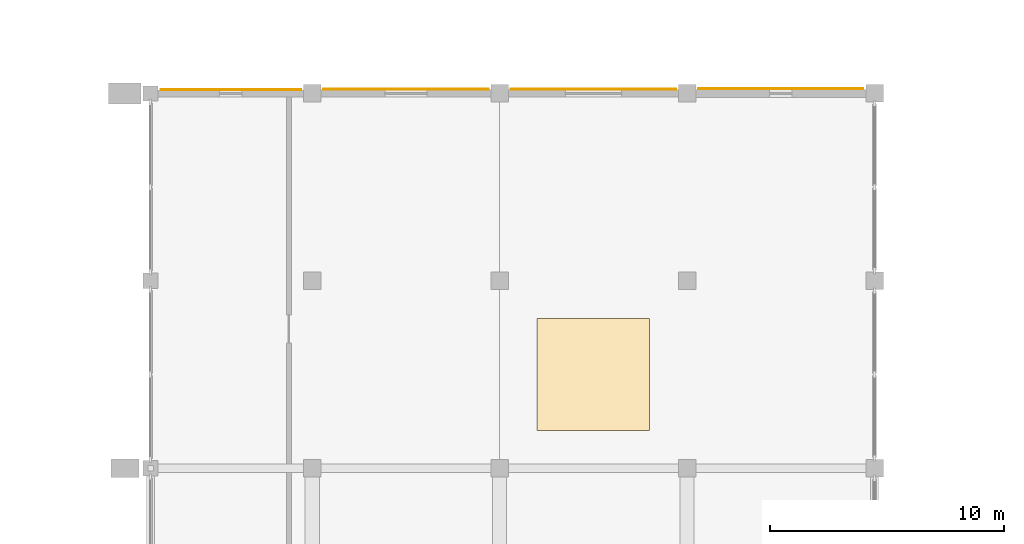
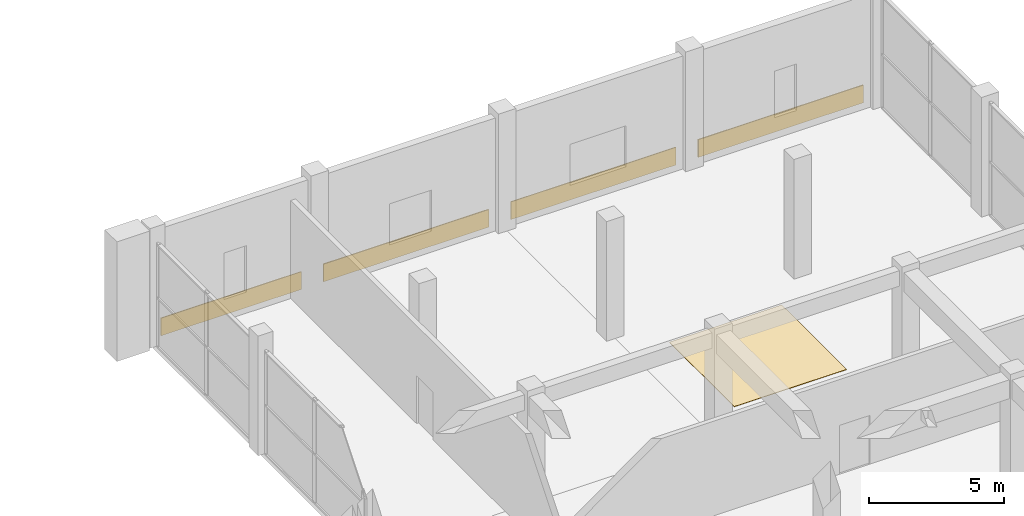
# One storey, part 85 of 86: 5 coverings.
"""IFC4 building model written with IfcOpenShell, lengths in metres."""

from ifc_helpers import new_model, si_unit, direction, frame, origin, origin_2d, place, context, subcontext, project, spatial, rectangle, extrude, material, layer, layer_set, type_object, element, save


model = new_model("IFC4")

# Units and contexts
model_context = context("Model", 3, precision=1e-05, world=origin(), true_north=direction((0.0, 1.0)))
body_context = subcontext(model_context, "Body", "Model", "MODEL_VIEW")
ifc_project = project(units=[si_unit("LENGTHUNIT", "METRE"), si_unit("AREAUNIT", "SQUARE_METRE"), si_unit("VOLUMEUNIT", "CUBIC_METRE"), si_unit("PLANEANGLEUNIT", "RADIAN"), si_unit("MASSUNIT", "GRAM", prefix="KILO")], contexts=[model_context])

# Site, building, storey
site_placement = place(None, origin())
site = spatial("IfcSite", under=ifc_project, at=site_placement, CompositionType="ELEMENT")
building_placement = place(site_placement, origin())
building = spatial("IfcBuilding", under=site, at=building_placement, Name="Kenh Van Central Station", CompositionType="ELEMENT")
storey_placement = place(building_placement, origin())
storey = spatial("IfcBuildingStorey", under=building, at=storey_placement, Name="L00", CompositionType="ELEMENT", Elevation=0.0)

# Coverings
ifc_material_1 = material(Name="Saigon buff sandstone cladding", Category="masonry")
ifc_layer_1 = layer(ifc_material_1, 0.0400390625, Name="Saigon buff sandstone cladding")
ifc_layer_set_1 = layer_set([ifc_layer_1], Name="Saigon buff sandstone cladding")
covering_type_1 = type_object("IfcCoveringType", Name="COV-CLAD-BUFF", PredefinedType="CLADDING", material=ifc_layer_set_1)
for number, where, z_axis, x_axis, name in (
    (1, (172.0, 112.18994140625, 0.02001953125), (0.0, 0.0, 1.0), (-1.0, 0.0, 0.0), "L00 facade cladding 013"),
    (2, (156.0, 112.169921875, 0.02001953125), (0.0, 0.0, 1.0), (-1.0, 0.0, 0.0), "L00 facade cladding 015"),
):
    element("IfcCovering", number, at=place(storey_placement, frame(where, z_axis=z_axis, x_axis=x_axis)), inside=storey, type_object=covering_type_1, Name=name, PredefinedType="CLADDING", context=body_context, shape_type="SweptSolid", body=[
        extrude(rectangle(XDim=7.050048828125, YDim=0.0400390625, at=origin_2d()), origin(), (0.0, 0.0, 1.0), 0.800048828125),
    ])
ifc_material_2 = material(Name="Glazed terracotta rainscreen cladding", Category="masonry")
ifc_layer_2 = layer(ifc_material_2, 0.034912109375, Name="Glazed terracotta rainscreen cladding")
ifc_layer_set_2 = layer_set([ifc_layer_2], Name="Glazed terracotta rainscreen cladding")
covering_type_2 = type_object("IfcCoveringType", Name="COV-CLAD-TERRA", PredefinedType="CLADDING", material=ifc_layer_set_2)
covering_1_placement = place(storey_placement, frame((164.0, 112.177490234375, 0.02001953125), z_axis=(0.0, 0.0, 1.0), x_axis=(-1.0, 0.0, 0.0)))
element("IfcCovering", 3, at=covering_1_placement, inside=storey, type_object=covering_type_2, Name="L00 facade cladding 014", PredefinedType="CLADDING", context=body_context, shape_type="SweptSolid", body=[
    extrude(rectangle(XDim=7.050048828125, YDim=0.034912109375, at=origin_2d()), origin(), (0.0, 0.0, 1.0), 0.800048828125),
])
covering_2_placement = place(storey_placement, frame((148.52490234375, 112.157470703125, 0.02001953125), z_axis=(0.0, 0.0, 1.0), x_axis=(-1.0, 0.0, 0.0)))
element("IfcCovering", 4, at=covering_2_placement, inside=storey, type_object=covering_type_2, Name="L00 facade cladding 016", PredefinedType="CLADDING", context=body_context, shape_type="SweptSolid", body=[
    extrude(rectangle(XDim=6.0, YDim=0.034912109375, at=origin_2d()), origin(), (0.0, 0.0, 1.0), 0.800048828125),
])
ifc_material_3 = material(Name="Polished station granite terrazzo", Category="masonry")
ifc_layer_3 = layer(ifc_material_3, 0.02001953125, Name="Polished station granite terrazzo")
ifc_layer_set_3 = layer_set([ifc_layer_3], Name="Polished station granite terrazzo")
covering_type_3 = type_object("IfcCoveringType", Name="COV-FLR-GRANITE", PredefinedType="FLOORING", material=ifc_layer_set_3)
covering_3_placement = place(storey_placement, frame((164.0, 100.0, 0.0), z_axis=(0.0, 0.0, 1.0), x_axis=(1.0, 0.0, 0.0)))
element("IfcCovering", 5, at=covering_3_placement, inside=storey, type_object=covering_type_3, Name="L00 granite floor finish 039", PredefinedType="FLOORING", context=body_context, shape_type="SweptSolid", body=[
    extrude(rectangle(XDim=4.800048828125, YDim=4.800048828125, at=origin_2d()), origin(), (0.0, 0.0, 1.0), 0.02001953125),
])

save(model, "model.ifc")
